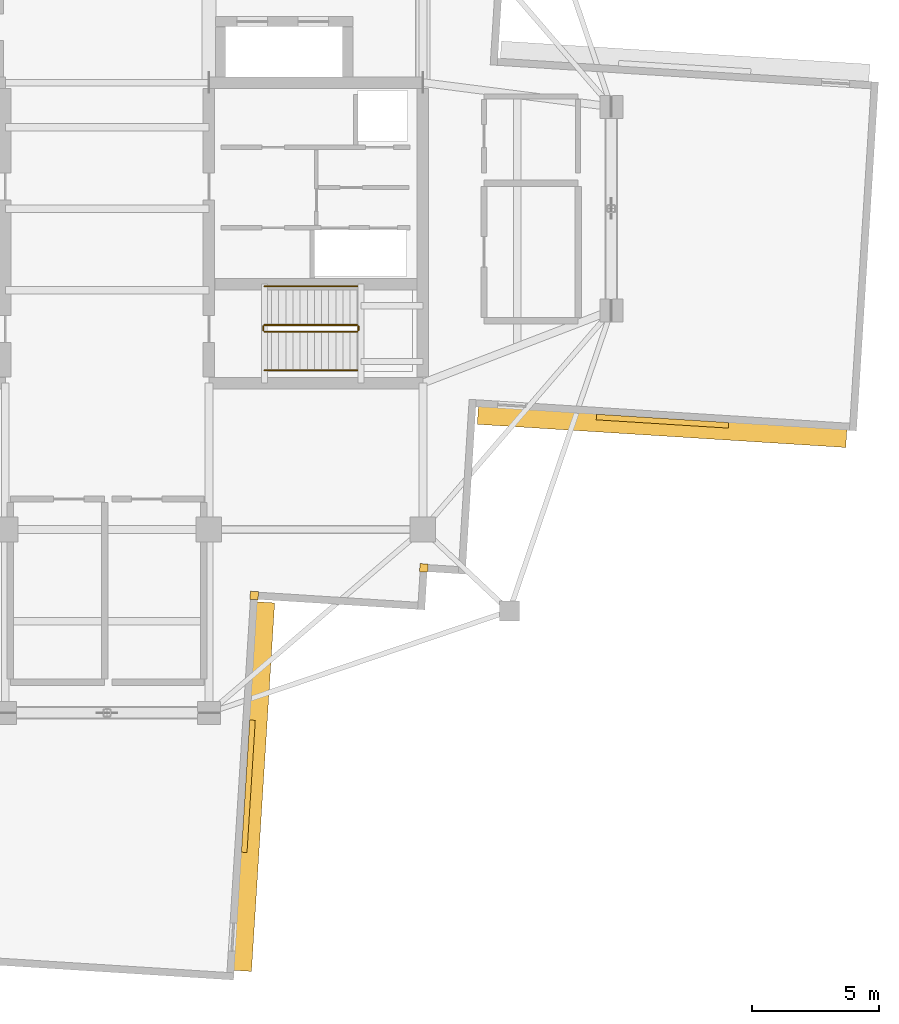
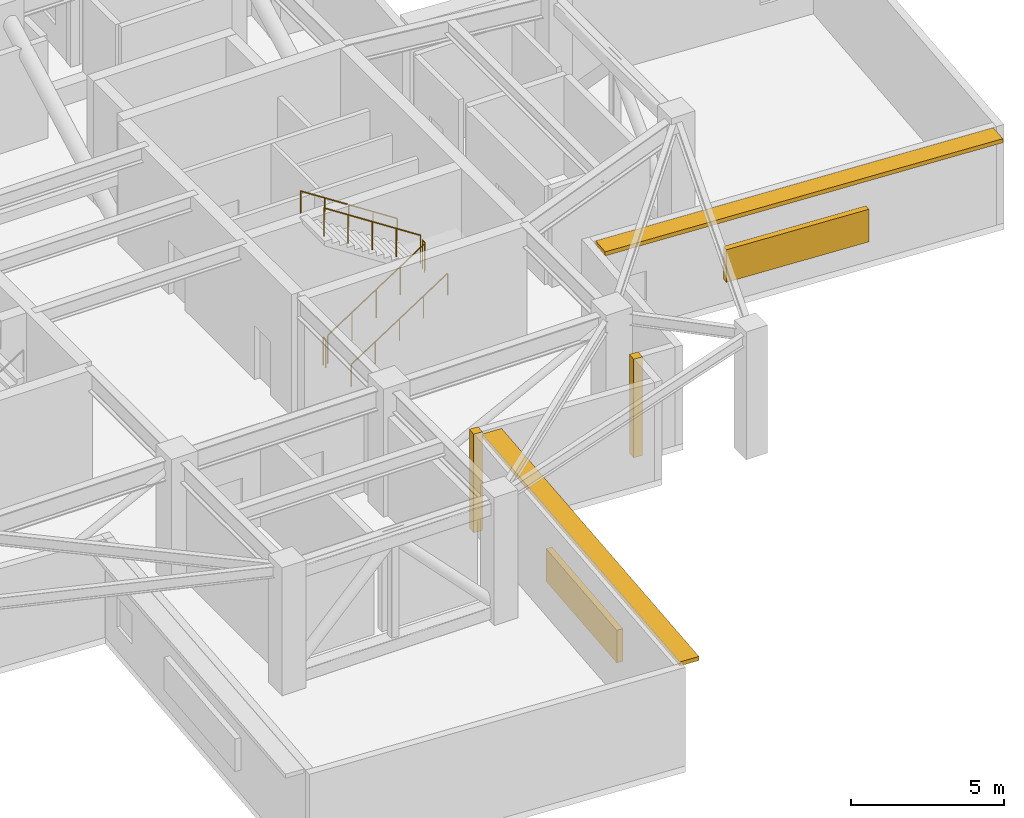
# One storey, part 12 of 14: 6 railings, 4 shading devices, 2 coverings.
"""IFC4 building model written with IfcOpenShell, lengths in metres."""

from ifc_helpers import new_model, si_unit, direction, frame, origin, origin_2d, place, context, subcontext, project, spatial, rectangle, circle, extrude, material, layer, layer_set, type_object, element, save


model = new_model("IFC4")

# Units and contexts
model_context = context("Model", 3, precision=1e-05, world=origin(), true_north=direction((0.0, 1.0)))
body_context = subcontext(model_context, "Body", "Model", "MODEL_VIEW")
ifc_project = project(units=[si_unit("LENGTHUNIT", "METRE"), si_unit("AREAUNIT", "SQUARE_METRE"), si_unit("VOLUMEUNIT", "CUBIC_METRE"), si_unit("PLANEANGLEUNIT", "RADIAN"), si_unit("MASSUNIT", "GRAM", prefix="KILO")], contexts=[model_context])

# Site, building, storey
site_placement = place(None, origin())
site = spatial("IfcSite", under=ifc_project, at=site_placement, CompositionType="ELEMENT")
building_placement = place(site_placement, origin())
building = spatial("IfcBuilding", under=site, at=building_placement, Name="Qingluan Cross Belvedere", CompositionType="ELEMENT")
storey_placement = place(building_placement, frame((0.0, 0.0, 240.300048828125)))
storey = spatial("IfcBuildingStorey", under=building, at=storey_placement, Name="L60", CompositionType="ELEMENT", Elevation=240.300048828125)

# Coverings
ifc_material_1 = material(Name="Precast concrete C45", Category="concrete")
ifc_layer_1 = layer(ifc_material_1, 0.1201171875, Name="ConcreteSpandrelCladding_120")
ifc_layer_set_1 = layer_set([ifc_layer_1], Name="Precast concrete C45")
covering_type = type_object("IfcCoveringType", Name="ConcreteSpandrelCladding_120", PredefinedType="CLADDING", material=ifc_layer_set_1)
for number, where, z_axis, x_axis, name in (
    (1, (12.438720703125, -14.10888671875, 0.0), (0.0, 0.0, 1.0), (0.998026728428, -0.062790519529, 0.0), "Corner closure L60-SE1"),
    (2, (5.77734375, -15.192626953125, 0.0), (0.0, 0.0, 1.0), (0.998026728428, -0.062790519529, 0.0), "Corner closure L60-SE2"),
):
    element("IfcCovering", number, at=place(storey_placement, frame(where, z_axis=z_axis, x_axis=x_axis)), inside=storey, type_object=covering_type, Name=name, PredefinedType="CLADDING", context=body_context, shape_type="SweptSolid", body=[
        extrude(rectangle(XDim=0.320068359375, YDim=0.320068359375, at=origin_2d()), origin(), (0.0, 0.0, 1.0), 3.929931640625),
    ])

# Shading devices
ifc_material_2 = material(Name="Precast concrete C45", Category="concrete")
ifc_layer_2 = layer(ifc_material_2, 0.139892578125, Name="ConcreteSunshadeBand_700")
ifc_layer_set_2 = layer_set([ifc_layer_2], Name="Precast concrete C45")
shading_device_type_1 = type_object("IfcShadingDeviceType", Name="ConcreteSunshadeBand_700", PredefinedType="USERDEFINED", material=ifc_layer_set_2)
for number, where, z_axis, x_axis, name in (
    (3, (21.794677734375, -8.575439453125, 3.75), (0.0, 0.0, 1.0), (0.99802639199, -0.062795866837, 0.0), "Concrete SUNSHADE L60-EA"),
    (4, (5.776123046875, -22.697509765625, 3.75), (0.0, 0.0, 1.0), (0.062789090939, 0.998026818306, 0.0), "Concrete SUNSHADE L60-SB"),
):
    element("IfcShadingDevice", number, at=place(storey_placement, frame(where, z_axis=z_axis, x_axis=x_axis)), inside=storey, type_object=shading_device_type_1, Name=name, ObjectType="SUNSHADE", PredefinedType="USERDEFINED", context=body_context, shape_type="SweptSolid", body=[
        extrude(rectangle(XDim=14.5, YDim=0.699951171875, at=origin_2d()), origin(), (0.0, 0.0, 1.0), 0.159912109375),
    ])
ifc_material_3 = material(Name="Anodised aluminium acoustic louvre screen", Category="aluminium")
ifc_layer_3 = layer(ifc_material_3, 0.219970703125, Name="RefugeAcousticLouvre_Screen")
ifc_layer_set_3 = layer_set([ifc_layer_3], Name="Anodised aluminium acoustic louvre screen")
shading_device_type_2 = type_object("IfcShadingDeviceType", Name="RefugeAcousticLouvre_Screen", PredefinedType="JALOUSIE", material=ifc_layer_set_3)
for number, where, z_axis, x_axis, name in (
    (5, (21.80908203125, -8.345947265625, 0.94970703125), (0.0, 0.0, 1.0), (0.99802639199, -0.062795866837, 0.0), "Plant acoustic louvre SCREEN L60-EA"),
    (6, (5.546630859375, -22.68310546875, 0.94970703125), (0.0, 0.0, 1.0), (0.062789090939, 0.998026818306, 0.0), "Plant acoustic louvre SCREEN L60-SB"),
):
    element("IfcShadingDevice", number, at=place(storey_placement, frame(where, z_axis=z_axis, x_axis=x_axis)), inside=storey, type_object=shading_device_type_2, Name=name, PredefinedType="JALOUSIE", context=body_context, shape_type="SweptSolid", body=[
        extrude(rectangle(XDim=5.199951171875, YDim=0.219970703125, at=origin_2d()), origin(), (0.0, 0.0, 1.0), 1.300048828125),
    ])

# Railings
ifc_material_4 = material(Name="Brushed stainless steel tubular handrail", Category="steel")
railing_type_1 = type_object("IfcRailingType", Name="StairPitchHandrail_900", PredefinedType="HANDRAIL", material=ifc_material_4)
railing_1_placement = place(storey_placement, frame((6.179931640625, -6.35009765625, 0.18212890625)))
element("IfcRailing", 7, at=railing_1_placement, inside=storey, type_object=railing_type_1, Name="L60 ST2 stair handrail 1", PredefinedType="HANDRAIL", context=body_context, shape_type="SweptSolid", body=[
    extrude(circle(Radius=0.02392578125, at=origin_2d()), frame((0.0, 0.0, 0.8759765625), z_axis=(0.83825089185, 0.0, 0.545284735081), x_axis=(0.0, 1.0, 0.0)), (0.0, 0.0, 1.0), 4.342529296875),
    extrude(circle(Radius=0.02099609375, at=origin_2d()), origin(), (0.0, 0.0, 1.0), 0.851806640625),
    extrude(circle(Radius=0.02099609375, at=origin_2d()), frame((0.91015625, 0.0, 0.592041015625)), (0.0, 0.0, 1.0), 0.851806640625),
    extrude(circle(Radius=0.02099609375, at=origin_2d()), frame((1.820068359375, 0.0, 1.18408203125)), (0.0, 0.0, 1.0), 0.851806640625),
    extrude(circle(Radius=0.02099609375, at=origin_2d()), frame((2.72998046875, 0.0, 1.77587890625)), (0.0, 0.0, 1.0), 0.851806640625),
    extrude(circle(Radius=0.02099609375, at=origin_2d()), frame((3.64013671875, 0.0, 2.367919921875)), (0.0, 0.0, 1.0), 0.851806640625),
])
railing_2_placement = place(storey_placement, frame((9.820068359375, -3.050048828125, 2.732177734375)))
element("IfcRailing", 8, at=railing_2_placement, inside=storey, type_object=railing_type_1, Name="L60 ST2 stair handrail 2", PredefinedType="HANDRAIL", context=body_context, shape_type="SweptSolid", body=[
    extrude(circle(Radius=0.02392578125, at=origin_2d()), frame((0.0, 0.0, 0.8759765625), z_axis=(-0.838276589377, 0.0, 0.545245228959), x_axis=(0.0, -1.0, 0.0)), (0.0, 0.0, 1.0), 4.34228515625),
    extrude(circle(Radius=0.02099609375, at=origin_2d()), origin(), (0.0, 0.0, 1.0), 0.851806640625),
    extrude(circle(Radius=0.02099609375, at=origin_2d()), frame((-0.91015625, 0.0, 0.591796875)), (0.0, 0.0, 1.0), 0.851806640625),
    extrude(circle(Radius=0.02099609375, at=origin_2d()), frame((-1.820068359375, 0.0, 1.183837890625)), (0.0, 0.0, 1.0), 0.851806640625),
    extrude(circle(Radius=0.02099609375, at=origin_2d()), frame((-2.72998046875, 0.0, 1.77587890625)), (0.0, 0.0, 1.0), 0.851806640625),
    extrude(circle(Radius=0.02099609375, at=origin_2d()), frame((-3.64013671875, 0.0, 2.36767578125)), (0.0, 0.0, 1.0), 0.851806640625),
])
ifc_material_5 = material(Name="Painted steel stair well guard", Category="steel")
railing_type_2 = type_object("IfcRailingType", Name="StairWellGuard_1150", PredefinedType="BALUSTRADE", material=ifc_material_5)
railing_3_placement = place(storey_placement, frame((6.179931640625, -4.830078125, 0.18212890625)))
element("IfcRailing", 9, at=railing_3_placement, inside=storey, type_object=railing_type_2, Name="L60 ST2 stair guard 1", PredefinedType="BALUSTRADE", context=body_context, shape_type="SweptSolid", body=[
    extrude(circle(Radius=0.02392578125, at=origin_2d()), frame((0.0, 0.0, 1.1259765625), z_axis=(0.83825089185, 0.0, 0.545284735081), x_axis=(0.0, 1.0, 0.0)), (0.0, 0.0, 1.0), 4.342529296875),
    extrude(circle(Radius=0.02099609375, at=origin_2d()), origin(), (0.0, 0.0, 1.0), 1.101806640625),
    extrude(circle(Radius=0.02099609375, at=origin_2d()), frame((0.91015625, 0.0, 0.592041015625)), (0.0, 0.0, 1.0), 1.101806640625),
    extrude(circle(Radius=0.02099609375, at=origin_2d()), frame((1.820068359375, 0.0, 1.18408203125)), (0.0, 0.0, 1.0), 1.101806640625),
    extrude(circle(Radius=0.02099609375, at=origin_2d()), frame((2.72998046875, 0.0, 1.77587890625)), (0.0, 0.0, 1.0), 1.101806640625),
    extrude(circle(Radius=0.02099609375, at=origin_2d()), frame((3.64013671875, 0.0, 2.367919921875)), (0.0, 0.0, 1.0), 1.101806640625),
])
railing_4_placement = place(storey_placement, frame((9.8701171875, -4.780029296875, 2.550048828125)))
element("IfcRailing", 10, at=railing_4_placement, inside=storey, type_object=railing_type_2, Name="L60 ST2 stair guard 2", PredefinedType="BALUSTRADE", context=body_context, shape_type="SweptSolid", body=[
    extrude(circle(Radius=0.02392578125, at=origin_2d()), frame((0.0, 0.0, 1.1259765625), z_axis=(0.0, 1.0, 0.0), x_axis=(-1.0, 0.0, 0.0)), (0.0, 0.0, 1.0), 0.159912109375),
    extrude(circle(Radius=0.02099609375, at=origin_2d()), origin(), (0.0, 0.0, 1.0), 1.101806640625),
    extrude(circle(Radius=0.02099609375, at=origin_2d()), frame((0.0, 0.159912109375, 0.0)), (0.0, 0.0, 1.0), 1.101806640625),
])
railing_5_placement = place(storey_placement, frame((9.820068359375, -4.570068359375, 2.732177734375)))
element("IfcRailing", 11, at=railing_5_placement, inside=storey, type_object=railing_type_2, Name="L60 ST2 stair guard 3", PredefinedType="BALUSTRADE", context=body_context, shape_type="SweptSolid", body=[
    extrude(circle(Radius=0.02392578125, at=origin_2d()), frame((0.0, 0.0, 1.1259765625), z_axis=(-0.838276589377, 0.0, 0.545245228959), x_axis=(0.0, -1.0, 0.0)), (0.0, 0.0, 1.0), 4.34228515625),
    extrude(circle(Radius=0.02099609375, at=origin_2d()), origin(), (0.0, 0.0, 1.0), 1.101806640625),
    extrude(circle(Radius=0.02099609375, at=origin_2d()), frame((-0.91015625, 0.0, 0.591796875)), (0.0, 0.0, 1.0), 1.101806640625),
    extrude(circle(Radius=0.02099609375, at=origin_2d()), frame((-1.820068359375, 0.0, 1.183837890625)), (0.0, 0.0, 1.0), 1.101806640625),
    extrude(circle(Radius=0.02099609375, at=origin_2d()), frame((-2.72998046875, 0.0, 1.77587890625)), (0.0, 0.0, 1.0), 1.101806640625),
    extrude(circle(Radius=0.02099609375, at=origin_2d()), frame((-3.64013671875, 0.0, 2.36767578125)), (0.0, 0.0, 1.0), 1.101806640625),
])
railing_6_placement = place(storey_placement, frame((6.1298828125, -4.780029296875, 0.0)))
element("IfcRailing", 12, at=railing_6_placement, inside=storey, type_object=railing_type_2, Name="L60 ST2 stair guard 4", PredefinedType="BALUSTRADE", context=body_context, shape_type="SweptSolid", body=[
    extrude(circle(Radius=0.02392578125, at=origin_2d()), frame((0.0, 0.0, 1.1259765625), z_axis=(0.0, 1.0, 0.0), x_axis=(-1.0, 0.0, 0.0)), (0.0, 0.0, 1.0), 0.159912109375),
    extrude(circle(Radius=0.02099609375, at=origin_2d()), origin(), (0.0, 0.0, 1.0), 1.101806640625),
    extrude(circle(Radius=0.02099609375, at=origin_2d()), frame((0.0, 0.159912109375, 0.0)), (0.0, 0.0, 1.0), 1.101806640625),
])

save(model, "model.ifc")
